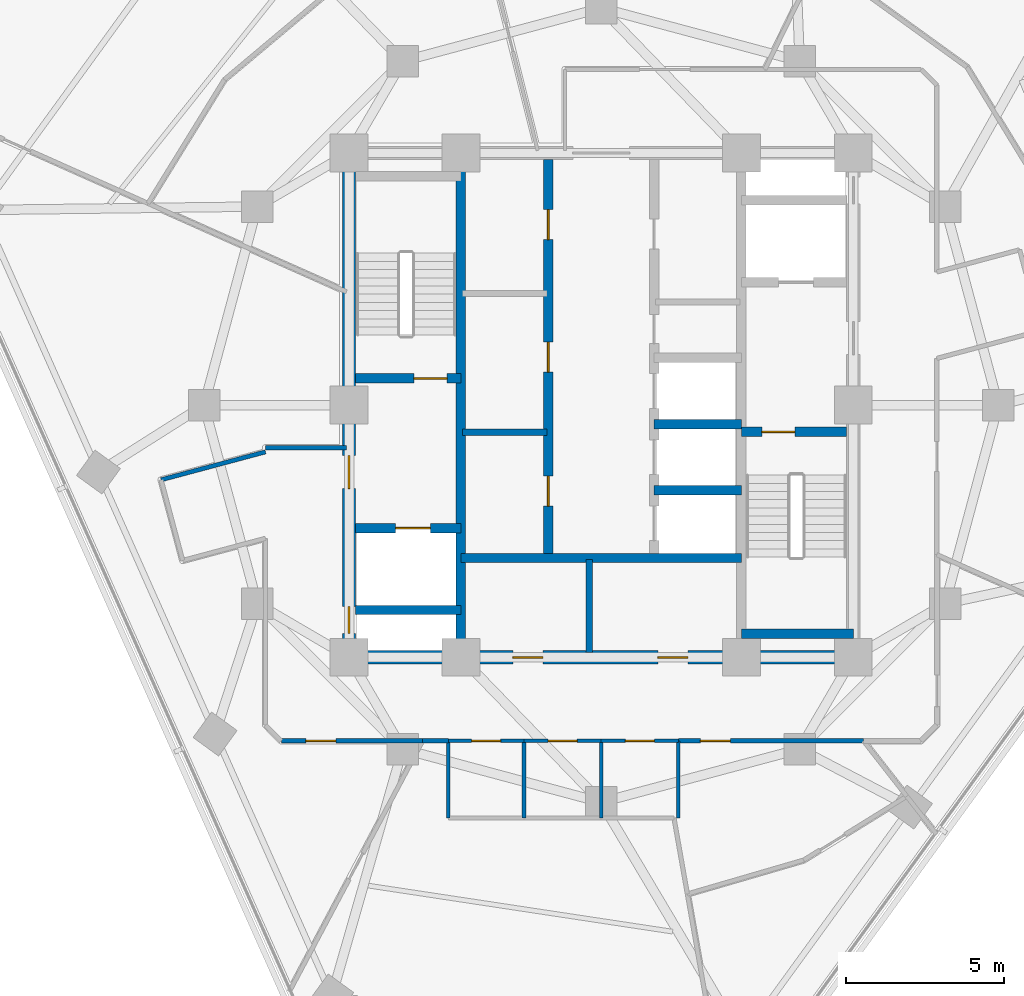
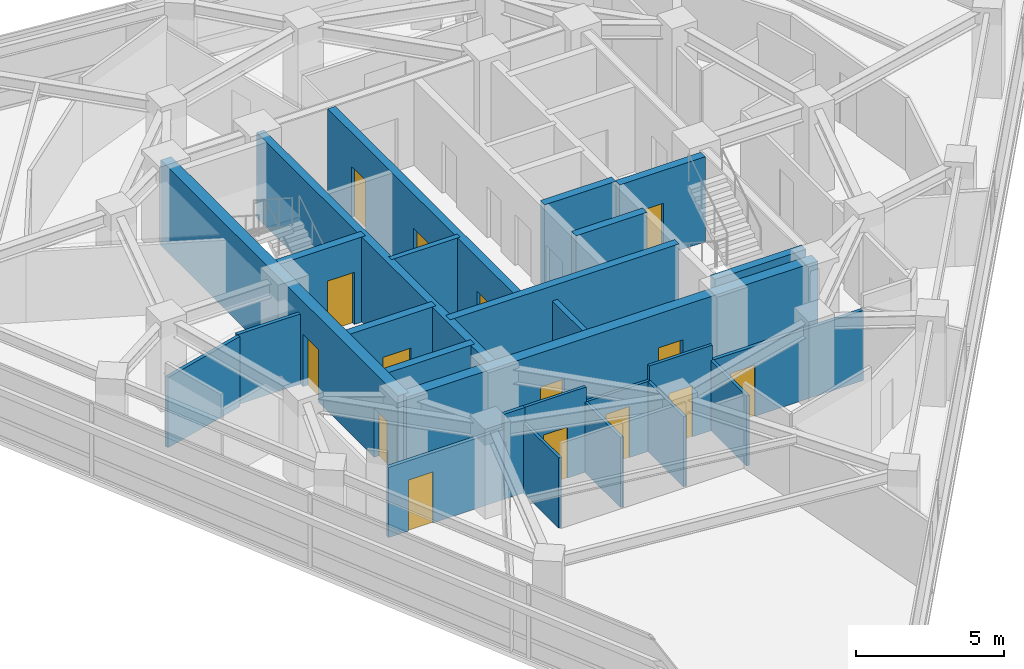
# One storey, part 8 of 15: 26 walls, 15 doors, 15 openings.
"""IFC4 building model written with IfcOpenShell, lengths in metres."""

from ifc_helpers import new_model, si_unit, direction, frame, frame_2d, origin, place, context, subcontext, project, spatial, rectangle, extrude, material, layer, layer_set, type_object, element, fill, save


model = new_model("IFC4")

# Units and contexts
model_context = context("Model", 3, precision=1e-05, world=origin(), true_north=direction((0.0, 1.0)))
body_context = subcontext(model_context, "Body", "Model", "MODEL_VIEW")
ifc_project = project(units=[si_unit("LENGTHUNIT", "METRE"), si_unit("AREAUNIT", "SQUARE_METRE"), si_unit("VOLUMEUNIT", "CUBIC_METRE"), si_unit("PLANEANGLEUNIT", "RADIAN"), si_unit("MASSUNIT", "GRAM", prefix="KILO")], contexts=[model_context])

# Site, building, storey
site_placement = place(None, origin())
site = spatial("IfcSite", under=ifc_project, at=site_placement, CompositionType="ELEMENT")
building_placement = place(site_placement, origin())
building = spatial("IfcBuilding", under=site, at=building_placement, Name="Terralouvre Media Tower", CompositionType="ELEMENT")
storey_placement = place(building_placement, frame((0.0, 0.0, 230.0)))
storey = spatial("IfcBuildingStorey", under=building, at=storey_placement, Name="L59", CompositionType="ELEMENT", Elevation=230.0)

# Wall
ifc_material_1 = material(Name="Concrete C50/60", Category="concrete")
ifc_layer_1 = layer(ifc_material_1, 0.300048828125, Name="Core Internal Shaft Wall CW-300")
ifc_layer_set_1 = layer_set([ifc_layer_1], Name="Concrete C50/60")
wall_type_1 = type_object("IfcWallType", Name="Core Internal Shaft Wall CW-300", PredefinedType="SHEAR", material=ifc_layer_set_1)
wall_1_placement = place(storey_placement, frame((-4.449951171875, -7.7900390625, 0.0), z_axis=(0.0, 0.0, 1.0), x_axis=(0.0, 1.0, 0.0)))
element("IfcWall", 1, at=wall_1_placement, inside=storey, type_object=wall_type_1, Name="L59 Core Shaft Wall SPW", PredefinedType="SHEAR", context=body_context, shape_type="SweptSolid", body=[
    extrude(rectangle(XDim=15.580078125, YDim=0.300048828125, at=frame_2d((7.7900390625, 0.0))), origin(), (0.0, 0.0, 1.0), 3.5),
])

# Wall, opening, door
wall_2_placement = place(storey_placement, frame((-7.7900390625, 0.85009765625, 0.0), z_axis=(0.0, 0.0, 1.0), x_axis=(1.0, 0.0, 0.0)))
wall_2 = element("IfcWall", 2, at=wall_2_placement, inside=storey, type_object=wall_type_1, Name="L59 Core Shaft Wall ST1D", PredefinedType="SHEAR", context=body_context, shape_type="SweptSolid", body=[
    extrude(rectangle(XDim=3.340087890625, YDim=0.300048828125, at=frame_2d((1.669921875, 0.0))), origin(), (0.0, 0.0, 1.0), 3.5),
])
opening_1_placement = place(wall_2_placement, frame((1.85009765625, 0.0, 0.0)))
opening_1 = element("IfcOpeningElement", 3, at=opening_1_placement, cuts=wall_2, Name="Opening FD-01-105X215", PredefinedType="OPENING", context=body_context, shape_type="SweptSolid", body=[
    extrude(rectangle(XDim=1.050048828125, YDim=2.14990234375, at=frame_2d((0.52490234375, 1.074951171875))), frame((0.0, 0.159912109375, 0.0), z_axis=(0.0, -1.0, 0.0), x_axis=(1.0, 0.0, 0.0)), (0.0, 0.0, 1.0), 0.320068359375),
])
ifc_material_2 = material(Name="Galvanised steel fire-resisting leaf", Category="steel")
door_type_1 = type_object("IfcDoorType", Name="Stair and Firefighting Lobby Fire Door FD-01 (1050x2150)", OperationType="NOTDEFINED", PredefinedType="DOOR", material=ifc_material_2)
door_1_placement = place(opening_1_placement, origin())
door_1 = element("IfcDoor", 4, at=door_1_placement, inside=storey, type_object=door_type_1, Name="L59 ST-01 Exit Stair Door", OperationType="SINGLE_SWING_LEFT", OverallHeight=2.14990234375, OverallWidth=1.050048828125, PredefinedType="DOOR", context=body_context, shape_type="SweptSolid", body=[
    extrude(rectangle(XDim=1.050048828125, YDim=2.14990234375, at=frame_2d((0.52490234375, 1.074951171875))), frame((0.0, 0.02490234375, 0.0), z_axis=(0.0, -1.0, 0.0), x_axis=(1.0, 0.0, 0.0)), (0.0, 0.0, 1.0), 0.050048828125),
])
fill(opening_1, door_1)

wall_3_placement = place(storey_placement, frame((4.449951171875, -0.85009765625, 0.0), z_axis=(0.0, 0.0, 1.0), x_axis=(1.0, 0.0, 0.0)))
wall_3 = element("IfcWall", 5, at=wall_3_placement, inside=storey, type_object=wall_type_1, Name="L59 Core Shaft Wall ST2D", PredefinedType="SHEAR", context=body_context, shape_type="SweptSolid", body=[
    extrude(rectangle(XDim=3.340087890625, YDim=0.300048828125, at=frame_2d((1.669921875, 0.0))), origin(), (0.0, 0.0, 1.0), 3.5),
])
opening_2_placement = place(wall_3_placement, frame((0.64990234375, 0.0, 0.0)))
opening_2 = element("IfcOpeningElement", 6, at=opening_2_placement, cuts=wall_3, Name="Opening FD-01-105X215", PredefinedType="OPENING", context=body_context, shape_type="SweptSolid", body=[
    extrude(rectangle(XDim=1.050048828125, YDim=2.14990234375, at=frame_2d((0.52490234375, 1.074951171875))), frame((0.0, 0.159912109375, 0.0), z_axis=(0.0, -1.0, 0.0), x_axis=(1.0, 0.0, 0.0)), (0.0, 0.0, 1.0), 0.320068359375),
])
door_2_placement = place(opening_2_placement, origin())
door_2 = element("IfcDoor", 7, at=door_2_placement, inside=storey, type_object=door_type_1, Name="L59 ST-02 Exit Stair Door", OperationType="SINGLE_SWING_RIGHT", OverallHeight=2.14990234375, OverallWidth=1.050048828125, PredefinedType="DOOR", context=body_context, shape_type="SweptSolid", body=[
    extrude(rectangle(XDim=1.050048828125, YDim=2.14990234375, at=frame_2d((0.52490234375, 1.074951171875))), frame((0.0, 0.02490234375, 0.0), z_axis=(0.0, -1.0, 0.0), x_axis=(1.0, 0.0, 0.0)), (0.0, 0.0, 1.0), 0.050048828125),
])
fill(opening_2, door_2)

# Wall
wall_4_placement = place(storey_placement, frame((4.449951171875, -7.260009765625, 0.0), z_axis=(0.0, 0.0, 1.0), x_axis=(1.0, 0.0, 0.0)))
element("IfcWall", 8, at=wall_4_placement, inside=storey, type_object=wall_type_1, Name="L59 Core Shaft Wall ST2F", PredefinedType="SHEAR", context=body_context, shape_type="SweptSolid", body=[
    extrude(rectangle(XDim=3.550048828125, YDim=0.300048828125, at=frame_2d((1.77490234375, 0.0))), origin(), (0.0, 0.0, 1.0), 3.5),
])

# Wall, opening, door
wall_5_placement = place(storey_placement, frame((-7.7900390625, -3.89990234375, 0.0), z_axis=(0.0, 0.0, 1.0), x_axis=(1.0, 0.0, 0.0)))
wall_5 = element("IfcWall", 9, at=wall_5_placement, inside=storey, type_object=wall_type_1, Name="L59 Core Shaft Wall FF1N", PredefinedType="SHEAR", context=body_context, shape_type="SweptSolid", body=[
    extrude(rectangle(XDim=3.340087890625, YDim=0.300048828125, at=frame_2d((1.669921875, 0.0))), origin(), (0.0, 0.0, 1.0), 3.5),
])
opening_3_placement = place(wall_5_placement, frame((1.27001953125, 0.0, 0.0)))
opening_3 = element("IfcOpeningElement", 10, at=opening_3_placement, cuts=wall_5, Name="Opening LD-FF", PredefinedType="OPENING", context=body_context, shape_type="SweptSolid", body=[
    extrude(rectangle(XDim=1.10009765625, YDim=2.10009765625, at=frame_2d((0.550048828125, 1.050048828125))), frame((0.0, 0.159912109375, 0.0), z_axis=(0.0, -1.0, 0.0), x_axis=(1.0, 0.0, 0.0)), (0.0, 0.0, 1.0), 0.320068359375),
])
ifc_material_3 = material(Name="Stainless steel 316 handrail and balustrade", Category="steel")
door_type_2 = type_object("IfcDoorType", Name="Firefighting Lift Sliding Landing Door LD-FF", OperationType="SLIDING_TO_LEFT", PredefinedType="DOOR", material=ifc_material_3)
door_3_placement = place(opening_3_placement, origin())
door_3 = element("IfcDoor", 11, at=door_3_placement, inside=storey, type_object=door_type_2, Name="L59 Firefighting Lift FFL-01 Landing Door", OperationType="SLIDING_TO_LEFT", OverallHeight=2.10009765625, OverallWidth=1.10009765625, PredefinedType="DOOR", context=body_context, shape_type="SweptSolid", body=[
    extrude(rectangle(XDim=1.10009765625, YDim=2.10009765625, at=frame_2d((0.550048828125, 1.050048828125))), frame((0.0, 0.02490234375, 0.0), z_axis=(0.0, -1.0, 0.0), x_axis=(1.0, 0.0, 0.0)), (0.0, 0.0, 1.0), 0.050048828125),
])
fill(opening_3, door_3)

# Walls
wall_6_placement = place(storey_placement, frame((-7.7900390625, -6.5, 0.0), z_axis=(0.0, 0.0, 1.0), x_axis=(1.0, 0.0, 0.0)))
element("IfcWall", 12, at=wall_6_placement, inside=storey, type_object=wall_type_1, Name="L59 Core Shaft Wall FF1S", PredefinedType="SHEAR", context=body_context, shape_type="SweptSolid", body=[
    extrude(rectangle(XDim=3.340087890625, YDim=0.300048828125, at=frame_2d((1.669921875, 0.0))), origin(), (0.0, 0.0, 1.0), 3.5),
])
wall_7_placement = place(storey_placement, frame((-4.449951171875, -4.85009765625, 0.0), z_axis=(0.0, 0.0, 1.0), x_axis=(1.0, 0.0, 0.0)))
element("IfcWall", 13, at=wall_7_placement, inside=storey, type_object=wall_type_1, Name="L59 Core Shaft Wall CSBN", PredefinedType="SHEAR", context=body_context, shape_type="SweptSolid", body=[
    extrude(rectangle(XDim=8.89990234375, YDim=0.300048828125, at=frame_2d((4.449951171875, 0.0))), origin(), (0.0, 0.0, 1.0), 3.5),
])

# Wall, openings, doors
wall_8_placement = place(storey_placement, frame((-1.679931640625, -4.85009765625, 0.0), z_axis=(0.0, 0.0, 1.0), x_axis=(0.0, 1.0, 0.0)))
wall_8 = element("IfcWall", 14, at=wall_8_placement, inside=storey, type_object=wall_type_1, Name="L59 Core Shaft Wall LBW", PredefinedType="SHEAR", context=body_context, shape_type="SweptSolid", body=[
    extrude(rectangle(XDim=12.64013671875, YDim=0.300048828125, at=frame_2d((6.320068359375, 0.0))), origin(), (0.0, 0.0, 1.0), 3.5),
])
opening_4_placement = place(wall_8_placement, frame((1.64990234375, 0.0, 0.0)))
opening_4 = element("IfcOpeningElement", 15, at=opening_4_placement, cuts=wall_8, Name="Opening FD-02-95X210", PredefinedType="OPENING", context=body_context, shape_type="SweptSolid", body=[
    extrude(rectangle(XDim=0.949951171875, YDim=2.10009765625, at=frame_2d((0.47509765625, 1.050048828125))), frame((0.0, 0.159912109375, 0.0), z_axis=(0.0, -1.0, 0.0), x_axis=(1.0, 0.0, 0.0)), (0.0, 0.0, 1.0), 0.320068359375),
])
opening_5_placement = place(wall_8_placement, frame((5.89990234375, 0.0, 0.0)))
opening_5 = element("IfcOpeningElement", 16, at=opening_5_placement, cuts=wall_8, Name="Opening SD-02", PredefinedType="OPENING", context=body_context, shape_type="SweptSolid", body=[
    extrude(rectangle(XDim=0.949951171875, YDim=2.10009765625, at=frame_2d((0.47509765625, 1.050048828125))), frame((0.0, 0.159912109375, 0.0), z_axis=(0.0, -1.0, 0.0), x_axis=(1.0, 0.0, 0.0)), (0.0, 0.0, 1.0), 0.320068359375),
])
opening_6_placement = place(wall_8_placement, frame((10.10009765625, 0.0, 0.0)))
opening_6 = element("IfcOpeningElement", 17, at=opening_6_placement, cuts=wall_8, Name="Opening FD-02-95X210", PredefinedType="OPENING", context=body_context, shape_type="SweptSolid", body=[
    extrude(rectangle(XDim=0.949951171875, YDim=2.10009765625, at=frame_2d((0.47509765625, 1.050048828125))), frame((0.0, 0.159912109375, 0.0), z_axis=(0.0, -1.0, 0.0), x_axis=(1.0, 0.0, 0.0)), (0.0, 0.0, 1.0), 0.320068359375),
])
ifc_material_4 = material(Name="Galvanised steel fire-resisting leaf", Category="steel")
door_type_3 = type_object("IfcDoorType", Name="Core Service Sliding Fire Door SD-02", OperationType="SLIDING_TO_LEFT", PredefinedType="DOOR", material=ifc_material_4)
door_4_placement = place(opening_5_placement, origin())
door_4 = element("IfcDoor", 18, at=door_4_placement, inside=storey, type_object=door_type_3, Name="L59 Core Pantry Store Door", OperationType="SLIDING_TO_LEFT", OverallHeight=2.10009765625, OverallWidth=0.949951171875, PredefinedType="DOOR", context=body_context, shape_type="SweptSolid", body=[
    extrude(rectangle(XDim=0.949951171875, YDim=2.10009765625, at=frame_2d((0.47509765625, 1.050048828125))), frame((0.0, 0.02490234375, 0.0), z_axis=(0.0, -1.0, 0.0), x_axis=(1.0, 0.0, 0.0)), (0.0, 0.0, 1.0), 0.050048828125),
])
fill(opening_5, door_4)
ifc_material_5 = material(Name="Galvanised steel fire-resisting leaf", Category="steel")
door_type_4 = type_object("IfcDoorType", Name="Plant and Riser Fire Door FD-02 (950x2100)", OperationType="NOTDEFINED", PredefinedType="DOOR", material=ifc_material_5)
door_5_placement = place(opening_4_placement, origin())
door_5 = element("IfcDoor", 19, at=door_5_placement, inside=storey, type_object=door_type_4, Name="L59 Core UPS Switch Plant Door", OperationType="SINGLE_SWING_LEFT", OverallHeight=2.10009765625, OverallWidth=0.949951171875, PredefinedType="DOOR", context=body_context, shape_type="SweptSolid", body=[
    extrude(rectangle(XDim=0.949951171875, YDim=2.10009765625, at=frame_2d((0.47509765625, 1.050048828125))), frame((0.0, 0.02490234375, 0.0), z_axis=(0.0, -1.0, 0.0), x_axis=(1.0, 0.0, 0.0)), (0.0, 0.0, 1.0), 0.050048828125),
])
fill(opening_4, door_5)
door_6_placement = place(opening_6_placement, origin())
door_6 = element("IfcDoor", 20, at=door_6_placement, inside=storey, type_object=door_type_4, Name="L59 Core Edge Server Plant Door", OperationType="SINGLE_SWING_RIGHT", OverallHeight=2.10009765625, OverallWidth=0.949951171875, PredefinedType="DOOR", context=body_context, shape_type="SweptSolid", body=[
    extrude(rectangle(XDim=0.949951171875, YDim=2.10009765625, at=frame_2d((0.47509765625, 1.050048828125))), frame((0.0, 0.02490234375, 0.0), z_axis=(0.0, -1.0, 0.0), x_axis=(1.0, 0.0, 0.0)), (0.0, 0.0, 1.0), 0.050048828125),
])
fill(opening_6, door_6)

# Walls
for number, where, z_axis, x_axis, name in (
    (21, (1.679931640625, -2.699951171875, 0.0), (0.0, 0.0, 1.0), (1.0, 0.0, 0.0), "L59 Core Shaft Wall PLHD1"),
    (22, (1.679931640625, -0.60009765625, 0.0), (0.0, 0.0, 1.0), (1.0, 0.0, 0.0), "L59 Core Shaft Wall PLHD2"),
):
    element("IfcWall", number, at=place(storey_placement, frame(where, z_axis=z_axis, x_axis=x_axis)), inside=storey, type_object=wall_type_1, Name=name, PredefinedType="SHEAR", context=body_context, shape_type="SweptSolid", body=[
        extrude(rectangle(XDim=2.77001953125, YDim=0.300048828125, at=frame_2d((1.385009765625, 0.0))), origin(), (0.0, 0.0, 1.0), 3.5),
    ])

# Wall, openings, doors
ifc_material_6 = material(Name="Concrete C60/75", Category="concrete")
ifc_layer_2 = layer(ifc_material_6, 0.419921875, Name="Core Reinforced Concrete Shear Wall CW-420")
ifc_layer_set_2 = layer_set([ifc_layer_2], Name="Concrete C60/75")
wall_type_2 = type_object("IfcWallType", Name="Core Reinforced Concrete Shear Wall CW-420", PredefinedType="SHEAR", material=ifc_layer_set_2)
wall_9_placement = place(storey_placement, frame((-8.0, -8.0, 0.0), z_axis=(0.0, 0.0, 1.0), x_axis=(0.0, 1.0, 0.0)))
wall_9 = element("IfcWall", 23, at=wall_9_placement, inside=storey, type_object=wall_type_2, Name="L59 W Core Shear Wall", PredefinedType="SHEAR", context=body_context, shape_type="SweptSolid", body=[
    extrude(rectangle(XDim=16.0, YDim=0.419921875, at=frame_2d((8.0, 0.0))), origin(), (0.0, 0.0, 1.0), 3.5),
])
opening_7_placement = place(wall_9_placement, frame((0.76123046875, 0.0, 0.0)))
opening_7 = element("IfcOpeningElement", 24, at=opening_7_placement, cuts=wall_9, Name="Opening TD-R1", PredefinedType="OPENING", context=body_context, shape_type="SweptSolid", body=[
    extrude(rectangle(XDim=0.85009765625, YDim=2.02001953125, at=frame_2d((0.425048828125, 1.010009765625))), frame((0.0, 0.219970703125, 0.0), z_axis=(0.0, -1.0, 0.0), x_axis=(1.0, 0.0, 0.0)), (0.0, 0.0, 1.0), 0.43994140625),
])
opening_8_placement = place(wall_9_placement, frame((5.35009765625, 0.0, 0.0)))
opening_8 = element("IfcOpeningElement", 25, at=opening_8_placement, cuts=wall_9, Name="Opening FD-01-105X215", PredefinedType="OPENING", context=body_context, shape_type="SweptSolid", body=[
    extrude(rectangle(XDim=1.050048828125, YDim=2.14990234375, at=frame_2d((0.52490234375, 1.074951171875))), frame((0.0, 0.219970703125, 0.0), z_axis=(0.0, -1.0, 0.0), x_axis=(1.0, 0.0, 0.0)), (0.0, 0.0, 1.0), 0.43994140625),
])
ifc_material_7 = material(Name="Galvanised steel fire-resisting leaf", Category="steel")
door_type_5 = type_object("IfcDoorType", Name="Riser Inspection Access Trapdoor TD-R1", OperationType="NOTDEFINED", PredefinedType="TRAPDOOR", material=ifc_material_7)
door_7_placement = place(opening_7_placement, origin())
door_7 = element("IfcDoor", 26, at=door_7_placement, inside=storey, type_object=door_type_5, Name="L59 Wet Riser Access Trapdoor", OperationType="SINGLE_SWING_LEFT", OverallHeight=2.02001953125, OverallWidth=0.85009765625, PredefinedType="TRAPDOOR", context=body_context, shape_type="SweptSolid", body=[
    extrude(rectangle(XDim=0.85009765625, YDim=2.02001953125, at=frame_2d((0.425048828125, 1.010009765625))), frame((0.0, 0.02490234375, 0.0), z_axis=(0.0, -1.0, 0.0), x_axis=(1.0, 0.0, 0.0)), (0.0, 0.0, 1.0), 0.050048828125),
])
fill(opening_7, door_7)
door_8_placement = place(opening_8_placement, origin())
door_8 = element("IfcDoor", 27, at=door_8_placement, inside=storey, type_object=door_type_1, Name="L59 West Firefighting Lobby Entry Door", OperationType="SINGLE_SWING_RIGHT", OverallHeight=2.14990234375, OverallWidth=1.050048828125, PredefinedType="DOOR", context=body_context, shape_type="SweptSolid", body=[
    extrude(rectangle(XDim=1.050048828125, YDim=2.14990234375, at=frame_2d((0.52490234375, 1.074951171875))), frame((0.0, 0.02490234375, 0.0), z_axis=(0.0, -1.0, 0.0), x_axis=(1.0, 0.0, 0.0)), (0.0, 0.0, 1.0), 0.050048828125),
])
fill(opening_8, door_8)

wall_10_placement = place(storey_placement, frame((-8.0, -8.0, 0.0), z_axis=(0.0, 0.0, 1.0), x_axis=(1.0, 0.0, 0.0)))
wall_10 = element("IfcWall", 28, at=wall_10_placement, inside=storey, type_object=wall_type_2, Name="L59 S Core Shear Wall", PredefinedType="SHEAR", context=body_context, shape_type="SweptSolid", body=[
    extrude(rectangle(XDim=16.0, YDim=0.419921875, at=frame_2d((8.0, 0.0))), origin(), (0.0, 0.0, 1.0), 3.5),
])
opening_9_placement = place(wall_10_placement, frame((5.199951171875, 0.0, 0.0)))
opening_9 = element("IfcOpeningElement", 29, at=opening_9_placement, cuts=wall_10, Name="Opening FD-02-95X210", PredefinedType="OPENING", context=body_context, shape_type="SweptSolid", body=[
    extrude(rectangle(XDim=0.949951171875, YDim=2.10009765625, at=frame_2d((0.47509765625, 1.050048828125))), frame((0.0, 0.219970703125, 0.0), z_axis=(0.0, -1.0, 0.0), x_axis=(1.0, 0.0, 0.0)), (0.0, 0.0, 1.0), 0.43994140625),
])
opening_10_placement = place(wall_10_placement, frame((9.800048828125, 0.0, 0.0)))
opening_10 = element("IfcOpeningElement", 30, at=opening_10_placement, cuts=wall_10, Name="Opening FD-02-95X210", PredefinedType="OPENING", context=body_context, shape_type="SweptSolid", body=[
    extrude(rectangle(XDim=0.949951171875, YDim=2.10009765625, at=frame_2d((0.47509765625, 1.050048828125))), frame((0.0, 0.219970703125, 0.0), z_axis=(0.0, -1.0, 0.0), x_axis=(1.0, 0.0, 0.0)), (0.0, 0.0, 1.0), 0.43994140625),
])
door_9_placement = place(opening_9_placement, origin())
door_9 = element("IfcDoor", 31, at=door_9_placement, inside=storey, type_object=door_type_4, Name="L59 Core Valve Plant Door", OperationType="SINGLE_SWING_LEFT", OverallHeight=2.10009765625, OverallWidth=0.949951171875, PredefinedType="DOOR", context=body_context, shape_type="SweptSolid", body=[
    extrude(rectangle(XDim=0.949951171875, YDim=2.10009765625, at=frame_2d((0.47509765625, 1.050048828125))), frame((0.0, 0.02490234375, 0.0), z_axis=(0.0, -1.0, 0.0), x_axis=(1.0, 0.0, 0.0)), (0.0, 0.0, 1.0), 0.050048828125),
])
fill(opening_9, door_9)
door_10_placement = place(opening_10_placement, origin())
door_10 = element("IfcDoor", 32, at=door_10_placement, inside=storey, type_object=door_type_4, Name="L59 Core MDF Plant Door", OperationType="SINGLE_SWING_RIGHT", OverallHeight=2.10009765625, OverallWidth=0.949951171875, PredefinedType="DOOR", context=body_context, shape_type="SweptSolid", body=[
    extrude(rectangle(XDim=0.949951171875, YDim=2.10009765625, at=frame_2d((0.47509765625, 1.050048828125))), frame((0.0, 0.02490234375, 0.0), z_axis=(0.0, -1.0, 0.0), x_axis=(1.0, 0.0, 0.0)), (0.0, 0.0, 1.0), 0.050048828125),
])
fill(opening_10, door_10)

# Walls
ifc_material_8 = material(Name="Fire-rated gypsum board drywall partition")
ifc_layer_3 = layer(ifc_material_8, 0.199951171875, Name="Fire-Rated Shaft and Lobby Partition FW-200")
ifc_layer_set_3 = layer_set([ifc_layer_3], Name="Fire-rated gypsum board drywall partition")
wall_type_3 = type_object("IfcWallType", Name="Fire-Rated Shaft and Lobby Partition FW-200", PredefinedType="SOLIDWALL", material=ifc_layer_set_3)
wall_11_placement = place(storey_placement, frame((-0.3798828125, -7.85009765625, 0.0), z_axis=(0.0, 0.0, 1.0), x_axis=(0.0, 1.0, 0.0)))
element("IfcWall", 33, at=wall_11_placement, inside=storey, type_object=wall_type_3, Name="L59 Core Service Bay Partition 1", PredefinedType="SOLIDWALL", context=body_context, shape_type="SweptSolid", body=[
    extrude(rectangle(XDim=2.9501953125, YDim=0.199951171875, at=frame_2d((1.47509765625, 0.0))), origin(), (0.0, 0.0, 1.0), 2.885009765625),
])
wall_12_placement = place(storey_placement, frame((-4.39990234375, -0.860107421875, 0.0), z_axis=(0.0, 0.0, 1.0), x_axis=(1.0, 0.0, 0.0)))
element("IfcWall", 34, at=wall_12_placement, inside=storey, type_object=wall_type_3, Name="L59 Core West Sub-Partition 1", PredefinedType="SOLIDWALL", context=body_context, shape_type="SweptSolid", body=[
    extrude(rectangle(XDim=2.679931640625, YDim=0.199951171875, at=frame_2d((1.33984375, 0.0))), origin(), (0.0, 0.0, 1.0), 3.5),
])
ifc_material_9 = material(Name="Fire-rated gypsum board drywall partition")
ifc_layer_4 = layer(ifc_material_9, 0.135009765625, Name="Newsroom Acoustic Partition PT-135")
ifc_layer_set_4 = layer_set([ifc_layer_4], Name="Fire-rated gypsum board drywall partition")
wall_type_4 = type_object("IfcWallType", Name="Newsroom Acoustic Partition PT-135", PredefinedType="PARTITIONING", material=ifc_layer_set_4)
wall_13_placement = place(storey_placement, frame((-8.080078125, -1.35009765625, 0.0), z_axis=(0.0, 0.0, 1.0), x_axis=(-1.0, 0.0, 0.0)))
element("IfcWall", 35, at=wall_13_placement, inside=storey, type_object=wall_type_4, Name="L59 Interior Partition 001", PredefinedType="PARTITIONING", context=body_context, shape_type="SweptSolid", body=[
    extrude(rectangle(XDim=2.56982421875, YDim=0.135009765625, at=frame_2d((1.284912109375, 0.0))), origin(), (0.0, 0.0, 1.0), 2.885009765625),
])
wall_14_placement = place(storey_placement, frame((-10.64990234375, -1.48193359375, 0.0), z_axis=(0.0, 0.0, 1.0), x_axis=(-0.965961397105, -0.2586862565, 0.0)))
element("IfcWall", 36, at=wall_14_placement, inside=storey, type_object=wall_type_4, Name="L59 Interior Partition 002", PredefinedType="PARTITIONING", context=body_context, shape_type="SweptSolid", body=[
    extrude(rectangle(XDim=3.4287109375, YDim=0.135009765625, at=frame_2d((1.71435546875, 0.0))), origin(), (0.0, 0.0, 1.0), 2.885009765625),
])

# Wall, opening, door
wall_15_placement = place(storey_placement, frame((-10.14990234375, -10.64990234375, 0.0), z_axis=(0.0, 0.0, 1.0), x_axis=(1.0, 0.0, 0.0)))
wall_15 = element("IfcWall", 37, at=wall_15_placement, inside=storey, type_object=wall_type_4, Name="L59 Interior Partition 007", PredefinedType="PARTITIONING", context=body_context, shape_type="SweptSolid", body=[
    extrude(rectangle(XDim=4.48681640625, YDim=0.135009765625, at=frame_2d((2.243408203125, 0.0))), origin(), (0.0, 0.0, 1.0), 2.885009765625),
])
opening_11_placement = place(wall_15_placement, frame((0.781494140625, 0.0, 0.0)))
opening_11 = element("IfcOpeningElement", 38, at=opening_11_placement, cuts=wall_15, Name="Opening ID-02-95X210", PredefinedType="OPENING", context=body_context, shape_type="SweptSolid", body=[
    extrude(rectangle(XDim=0.949951171875, YDim=2.10009765625, at=frame_2d((0.47509765625, 1.050048828125))), frame((0.0, 0.077392578125, 0.0), z_axis=(0.0, -1.0, 0.0), x_axis=(1.0, 0.0, 0.0)), (0.0, 0.0, 1.0), 0.155029296875),
])
ifc_material_10 = material(Name="Engineered hardwood acoustic timber leaf", Category="wood")
door_type_6 = type_object("IfcDoorType", Name="Office and Meeting Room Door ID-02 (950x2100)", OperationType="NOTDEFINED", PredefinedType="DOOR", material=ifc_material_10)
door_11_placement = place(opening_11_placement, origin())
door_11 = element("IfcDoor", 39, at=door_11_placement, inside=storey, type_object=door_type_6, Name="L59 Journalist Quiet Study 1 Door", OperationType="SINGLE_SWING_RIGHT", OverallHeight=2.10009765625, OverallWidth=0.949951171875, PredefinedType="DOOR", context=body_context, shape_type="SweptSolid", body=[
    extrude(rectangle(XDim=0.949951171875, YDim=2.10009765625, at=frame_2d((0.47509765625, 1.050048828125))), frame((0.0, 0.02490234375, 0.0), z_axis=(0.0, -1.0, 0.0), x_axis=(1.0, 0.0, 0.0)), (0.0, 0.0, 1.0), 0.050048828125),
])
fill(opening_11, door_11)

# Wall
wall_16_placement = place(storey_placement, frame((-5.6630859375, -10.64990234375, 0.0), z_axis=(0.0, 0.0, 1.0), x_axis=(1.0, 0.0, 0.0)))
element("IfcWall", 40, at=wall_16_placement, inside=storey, type_object=wall_type_4, Name="L59 Interior Partition 016", PredefinedType="PARTITIONING", context=body_context, shape_type="SweptSolid", body=[
    extrude(rectangle(XDim=0.81298828125, YDim=0.135009765625, at=frame_2d((0.406494140625, 0.0))), origin(), (0.0, 0.0, 1.0), 3.5),
])

# Wall, opening, door
wall_17_placement = place(storey_placement, frame((2.449951171875, -10.64990234375, 0.0), z_axis=(0.0, 0.0, 1.0), x_axis=(1.0, 0.0, 0.0)))
wall_17 = element("IfcWall", 41, at=wall_17_placement, inside=storey, type_object=wall_type_4, Name="L59 Interior Partition 019", PredefinedType="PARTITIONING", context=body_context, shape_type="SweptSolid", body=[
    extrude(rectangle(XDim=5.87109375, YDim=0.135009765625, at=frame_2d((2.935546875, 0.0))), origin(), (0.0, 0.0, 1.0), 2.885009765625),
])
opening_12_placement = place(wall_17_placement, frame((0.69921875, 0.0, 0.0)))
opening_12 = element("IfcOpeningElement", 42, at=opening_12_placement, cuts=wall_17, Name="Opening ID-02-95X210", PredefinedType="OPENING", context=body_context, shape_type="SweptSolid", body=[
    extrude(rectangle(XDim=0.949951171875, YDim=2.10009765625, at=frame_2d((0.47509765625, 1.050048828125))), frame((0.0, 0.077392578125, 0.0), z_axis=(0.0, -1.0, 0.0), x_axis=(1.0, 0.0, 0.0)), (0.0, 0.0, 1.0), 0.155029296875),
])
door_12_placement = place(opening_12_placement, origin())
door_12 = element("IfcDoor", 43, at=door_12_placement, inside=storey, type_object=door_type_6, Name="L59 FOIA Research Workspace 5 Door", OperationType="SINGLE_SWING_LEFT", OverallHeight=2.10009765625, OverallWidth=0.949951171875, PredefinedType="DOOR", context=body_context, shape_type="SweptSolid", body=[
    extrude(rectangle(XDim=0.949951171875, YDim=2.10009765625, at=frame_2d((0.47509765625, 1.050048828125))), frame((0.0, 0.02490234375, 0.0), z_axis=(0.0, -1.0, 0.0), x_axis=(1.0, 0.0, 0.0)), (0.0, 0.0, 1.0), 0.050048828125),
])
fill(opening_12, door_12)

ifc_material_11 = material(Name="Fire-rated gypsum board drywall partition")
ifc_layer_5 = layer(ifc_material_11, 0.114990234375, Name="Restroom and Pantry Partition PT-115")
ifc_layer_set_5 = layer_set([ifc_layer_5], Name="Fire-rated gypsum board drywall partition")
wall_type_5 = type_object("IfcWallType", Name="Restroom and Pantry Partition PT-115", PredefinedType="PARTITIONING", material=ifc_layer_set_5)
wall_18_placement = place(storey_placement, frame((-4.85009765625, -10.64990234375, 0.0), z_axis=(0.0, 0.0, 1.0), x_axis=(1.0, 0.0, 0.0)))
wall_18 = element("IfcWall", 44, at=wall_18_placement, inside=storey, type_object=wall_type_5, Name="L59 Interior Partition 015", PredefinedType="PARTITIONING", context=body_context, shape_type="SweptSolid", body=[
    extrude(rectangle(XDim=2.400146484375, YDim=0.114990234375, at=frame_2d((1.2001953125, 0.0))), origin(), (0.0, 0.0, 1.0), 3.5),
])
opening_13_placement = place(wall_18_placement, frame((0.739990234375, 0.0, 0.0)))
opening_13 = element("IfcOpeningElement", 45, at=opening_13_placement, cuts=wall_18, Name="Opening ID-03-92X210", PredefinedType="OPENING", context=body_context, shape_type="SweptSolid", body=[
    extrude(rectangle(XDim=0.919921875, YDim=2.10009765625, at=frame_2d((0.4599609375, 1.050048828125))), frame((0.0, 0.0673828125, 0.0), z_axis=(0.0, -1.0, 0.0), x_axis=(1.0, 0.0, 0.0)), (0.0, 0.0, 1.0), 0.135009765625),
])
ifc_material_12 = material(Name="Engineered hardwood acoustic timber leaf", Category="wood")
door_type_7 = type_object("IfcDoorType", Name="Accessible Restroom and Suite Door ID-03 (920x2100)", OperationType="NOTDEFINED", PredefinedType="DOOR", material=ifc_material_12)
door_13_placement = place(opening_13_placement, origin())
door_13 = element("IfcDoor", 46, at=door_13_placement, inside=storey, type_object=door_type_7, Name="L59 Male Restroom WC Door", OperationType="SINGLE_SWING_RIGHT", OverallHeight=2.10009765625, OverallWidth=0.919921875, PredefinedType="DOOR", context=body_context, shape_type="SweptSolid", body=[
    extrude(rectangle(XDim=0.919921875, YDim=2.10009765625, at=frame_2d((0.4599609375, 1.050048828125))), frame((0.0, 0.02490234375, 0.0), z_axis=(0.0, -1.0, 0.0), x_axis=(1.0, 0.0, 0.0)), (0.0, 0.0, 1.0), 0.050048828125),
])
fill(opening_13, door_13)

wall_19_placement = place(storey_placement, frame((-2.449951171875, -10.64990234375, 0.0), z_axis=(0.0, 0.0, 1.0), x_axis=(1.0, 0.0, 0.0)))
wall_19 = element("IfcWall", 47, at=wall_19_placement, inside=storey, type_object=wall_type_5, Name="L59 Interior Partition 017", PredefinedType="PARTITIONING", context=body_context, shape_type="SweptSolid", body=[
    extrude(rectangle(XDim=2.449951171875, YDim=0.114990234375, at=frame_2d((1.22509765625, 0.0))), origin(), (0.0, 0.0, 1.0), 2.885009765625),
])
opening_14_placement = place(wall_19_placement, frame((0.764892578125, 0.0, 0.0)))
opening_14 = element("IfcOpeningElement", 48, at=opening_14_placement, cuts=wall_19, Name="Opening ID-03-92X210", PredefinedType="OPENING", context=body_context, shape_type="SweptSolid", body=[
    extrude(rectangle(XDim=0.919921875, YDim=2.10009765625, at=frame_2d((0.4599609375, 1.050048828125))), frame((0.0, 0.0673828125, 0.0), z_axis=(0.0, -1.0, 0.0), x_axis=(1.0, 0.0, 0.0)), (0.0, 0.0, 1.0), 0.135009765625),
])
door_14_placement = place(opening_14_placement, origin())
door_14 = element("IfcDoor", 49, at=door_14_placement, inside=storey, type_object=door_type_7, Name="L59 Female Restroom WC Door", OperationType="SINGLE_SWING_LEFT", OverallHeight=2.10009765625, OverallWidth=0.919921875, PredefinedType="DOOR", context=body_context, shape_type="SweptSolid", body=[
    extrude(rectangle(XDim=0.919921875, YDim=2.10009765625, at=frame_2d((0.4599609375, 1.050048828125))), frame((0.0, 0.02490234375, 0.0), z_axis=(0.0, -1.0, 0.0), x_axis=(1.0, 0.0, 0.0)), (0.0, 0.0, 1.0), 0.050048828125),
])
fill(opening_14, door_14)

wall_20_placement = place(storey_placement, frame((0.0, -10.64990234375, 0.0), z_axis=(0.0, 0.0, 1.0), x_axis=(1.0, 0.0, 0.0)))
wall_20 = element("IfcWall", 50, at=wall_20_placement, inside=storey, type_object=wall_type_5, Name="L59 Interior Partition 018", PredefinedType="PARTITIONING", context=body_context, shape_type="SweptSolid", body=[
    extrude(rectangle(XDim=2.449951171875, YDim=0.114990234375, at=frame_2d((1.22509765625, 0.0))), origin(), (0.0, 0.0, 1.0), 3.5),
])
opening_15_placement = place(wall_20_placement, frame((0.764892578125, 0.0, 0.0)))
opening_15 = element("IfcOpeningElement", 51, at=opening_15_placement, cuts=wall_20, Name="Opening ID-03-92X210", PredefinedType="OPENING", context=body_context, shape_type="SweptSolid", body=[
    extrude(rectangle(XDim=0.919921875, YDim=2.10009765625, at=frame_2d((0.4599609375, 1.050048828125))), frame((0.0, 0.0673828125, 0.0), z_axis=(0.0, -1.0, 0.0), x_axis=(1.0, 0.0, 0.0)), (0.0, 0.0, 1.0), 0.135009765625),
])
door_15_placement = place(opening_15_placement, origin())
door_15 = element("IfcDoor", 52, at=door_15_placement, inside=storey, type_object=door_type_7, Name="L59 Accessible Unisex WC Door", OperationType="SINGLE_SWING_RIGHT", OverallHeight=2.10009765625, OverallWidth=0.919921875, PredefinedType="DOOR", context=body_context, shape_type="SweptSolid", body=[
    extrude(rectangle(XDim=0.919921875, YDim=2.10009765625, at=frame_2d((0.4599609375, 1.050048828125))), frame((0.0, 0.02490234375, 0.0), z_axis=(0.0, -1.0, 0.0), x_axis=(1.0, 0.0, 0.0)), (0.0, 0.0, 1.0), 0.050048828125),
])
fill(opening_15, door_15)

# Walls
for number, where, z_axis, x_axis, name in (
    (53, (-4.85009765625, -10.64990234375, 0.0), (0.0, 0.0, 1.0), (0.0, -1.0, 0.0), "L59 Interior Partition 034"),
    (54, (-2.449951171875, -13.10009765625, 0.0), (0.0, 0.0, 1.0), (0.0, 1.0, 0.0), "L59 Interior Partition 036"),
    (55, (0.0, -13.10009765625, 0.0), (0.0, 0.0, 1.0), (0.0, 1.0, 0.0), "L59 Interior Partition 041"),
    (56, (2.449951171875, -13.10009765625, 0.0), (0.0, 0.0, 1.0), (0.0, 1.0, 0.0), "L59 Interior Partition 042"),
):
    element("IfcWall", number, at=place(storey_placement, frame(where, z_axis=z_axis, x_axis=x_axis)), inside=storey, type_object=wall_type_5, Name=name, PredefinedType="PARTITIONING", context=body_context, shape_type="SweptSolid", body=[
        extrude(rectangle(XDim=2.4501953125, YDim=0.114990234375, at=frame_2d((1.22509765625, 0.0))), origin(), (0.0, 0.0, 1.0), 2.885009765625),
    ])

save(model, "model.ifc")
